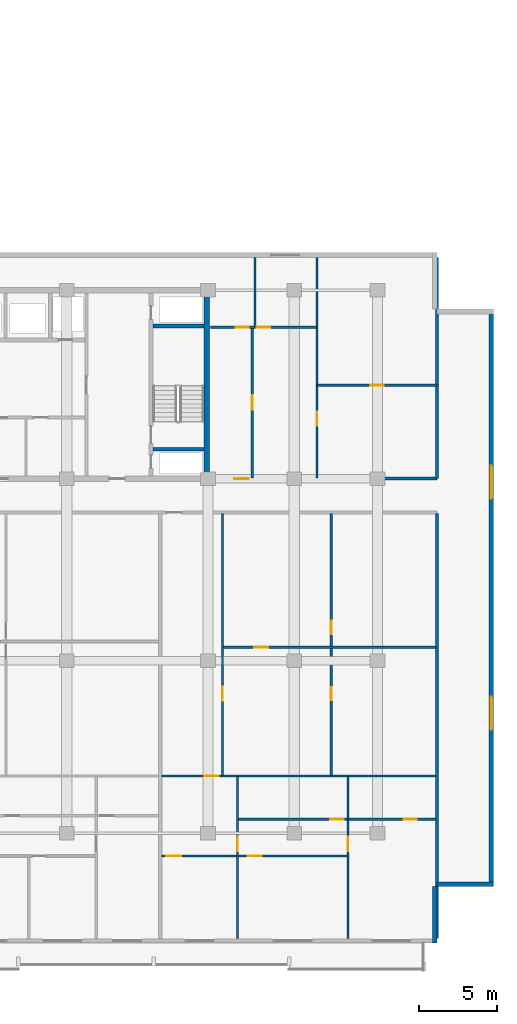
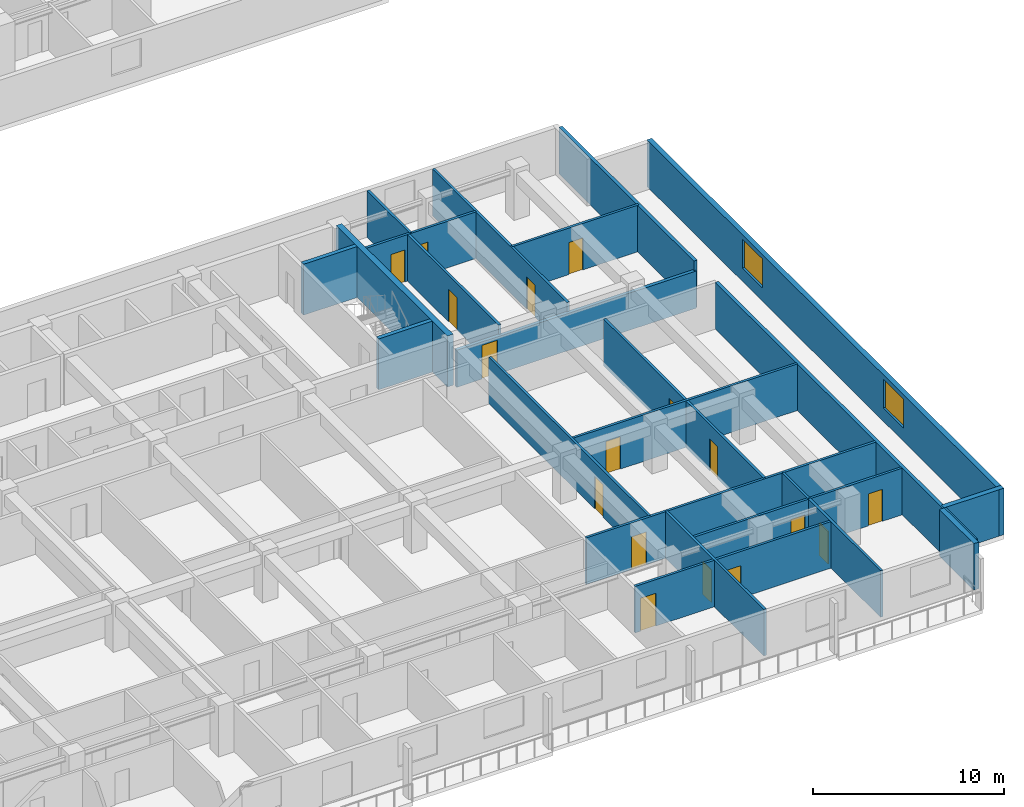
# One storey, part 8 of 23: 23 walls, 17 doors, 2 windows, 19 openings.
"""IFC4 building model written with IfcOpenShell, lengths in metres."""

from ifc_helpers import new_model, si_unit, direction, frame, frame_2d, origin, place, context, subcontext, project, spatial, rectangle, extrude, material, layer, layer_set, type_object, element, fill, save


model = new_model("IFC4")

# Units and contexts
model_context = context("Model", 3, precision=1e-05, world=origin(), true_north=direction((0.0, 1.0)))
body_context = subcontext(model_context, "Body", "Model", "MODEL_VIEW")
ifc_project = project(units=[si_unit("LENGTHUNIT", "METRE"), si_unit("AREAUNIT", "SQUARE_METRE"), si_unit("VOLUMEUNIT", "CUBIC_METRE"), si_unit("PLANEANGLEUNIT", "RADIAN"), si_unit("MASSUNIT", "GRAM", prefix="KILO")], contexts=[model_context])

# Site, building, storey
site_placement = place(None, origin())
site = spatial("IfcSite", under=ifc_project, at=site_placement, CompositionType="ELEMENT")
building_placement = place(site_placement, origin())
building = spatial("IfcBuilding", under=site, at=building_placement, Name="Korimba Cascade Residences", CompositionType="ELEMENT")
storey_placement = place(building_placement, frame((0.0, 0.0, 59.75)))
storey = spatial("IfcBuildingStorey", under=building, at=storey_placement, Name="L16", CompositionType="ELEMENT", Elevation=59.75)

# Walls
ifc_material_1 = material(Name="Precast concrete C40/50", Category="concrete")
ifc_layer_1 = layer(ifc_material_1, 0.300048828125)
ifc_layer_set_1 = layer_set([ifc_layer_1], Name="Precast concrete C40/50")
wall_type_1 = type_object("IfcWallType", Name="EW-STONE-300", PredefinedType="STANDARD", material=ifc_layer_set_1)
wall_1_placement = place(storey_placement, frame((132.550048828125, -11.199951171875, 0.0), z_axis=(0.0, 0.0, 1.0), x_axis=(0.0, 1.0, 0.0)))
element("IfcWall", 1, at=wall_1_placement, inside=storey, type_object=wall_type_1, Name="L16 T2 Perimeter Stone Wall E01", PredefinedType="STANDARD", context=body_context, shape_type="SweptSolid", body=[
    extrude(rectangle(XDim=3.599853515625, YDim=0.300048828125, at=frame_2d((1.7998046875, 0.0))), origin(), (0.0, 0.0, 1.0), 2.969970703125),
])
wall_2_placement = place(storey_placement, frame((132.699951171875, -7.449951171875, 0.0), z_axis=(0.0, 0.0, 1.0), x_axis=(1.0, 0.0, 0.0)))
element("IfcWall", 2, at=wall_2_placement, inside=storey, type_object=wall_type_1, Name="L16 T2 Perimeter Stone Wall E02", PredefinedType="STANDARD", context=body_context, shape_type="SweptSolid", body=[
    extrude(rectangle(XDim=3.60009765625, YDim=0.300048828125, at=frame_2d((1.800048828125, 0.0))), origin(), (0.0, 0.0, 1.0), 2.969970703125),
])

# Wall, openings, windows
wall_3_placement = place(storey_placement, frame((136.14990234375, -7.60009765625, 0.0), z_axis=(0.0, 0.0, 1.0), x_axis=(0.0, 1.0, 0.0)))
wall_3 = element("IfcWall", 3, at=wall_3_placement, inside=storey, type_object=wall_type_1, Name="L16 T2 Perimeter Stone Wall E03", PredefinedType="STANDARD", context=body_context, shape_type="SweptSolid", body=[
    extrude(rectangle(XDim=36.800048828125, YDim=0.300048828125, at=frame_2d((18.39990234375, 0.0))), origin(), (0.0, 0.0, 1.0), 2.969970703125),
])
opening_1_placement = place(wall_3_placement, frame((9.989990234375, 0.0, 0.85009765625)))
opening_1 = element("IfcOpeningElement", 4, at=opening_1_placement, cuts=wall_3, Name="Opening W-03", PredefinedType="OPENING", context=body_context, shape_type="SweptSolid", body=[
    extrude(rectangle(XDim=2.10009765625, YDim=1.85009765625, at=frame_2d((1.050048828125, 0.925048828125))), frame((0.0, 0.16015625, 0.0), z_axis=(0.0, -1.0, 0.0), x_axis=(1.0, 0.0, 0.0)), (0.0, 0.0, 1.0), 0.320068359375),
])
opening_2_placement = place(wall_3_placement, frame((24.7099609375, 0.0, 0.85009765625)))
opening_2 = element("IfcOpeningElement", 5, at=opening_2_placement, cuts=wall_3, Name="Opening W-03", PredefinedType="OPENING", context=body_context, shape_type="SweptSolid", body=[
    extrude(rectangle(XDim=2.10009765625, YDim=1.85009765625, at=frame_2d((1.050048828125, 0.925048828125))), frame((0.0, 0.16015625, 0.0), z_axis=(0.0, -1.0, 0.0), x_axis=(1.0, 0.0, 0.0)), (0.0, 0.0, 1.0), 0.320068359375),
])
ifc_material_2 = material(Name="Double-Glazed Aluminium Window", Category="aluminium")
window_type = type_object("IfcWindowType", Name="WIN-CRN-2100", PartitioningType="DOUBLE_PANEL_HORIZONTAL", PredefinedType="WINDOW", material=ifc_material_2)
window_1_placement = place(opening_1_placement, origin())
window_1 = element("IfcWindow", 6, at=window_1_placement, inside=storey, type_object=window_type, Name="L16 T2 End View Window 3.1", OverallHeight=1.85009765625, OverallWidth=2.10009765625, PartitioningType="DOUBLE_PANEL_HORIZONTAL", PredefinedType="WINDOW", context=body_context, shape_type="SweptSolid", body=[
    extrude(rectangle(XDim=2.10009765625, YDim=1.85009765625, at=frame_2d((1.050048828125, 0.925048828125))), frame((0.0, 0.030029296875, 0.0), z_axis=(0.0, -1.0, 0.0), x_axis=(1.0, 0.0, 0.0)), (0.0, 0.0, 1.0), 0.06005859375),
])
fill(opening_1, window_1)
window_2_placement = place(opening_2_placement, origin())
window_2 = element("IfcWindow", 7, at=window_2_placement, inside=storey, type_object=window_type, Name="L16 T2 End View Window 3.2", OverallHeight=1.85009765625, OverallWidth=2.10009765625, PartitioningType="DOUBLE_PANEL_HORIZONTAL", PredefinedType="WINDOW", context=body_context, shape_type="SweptSolid", body=[
    extrude(rectangle(XDim=2.10009765625, YDim=1.85009765625, at=frame_2d((1.050048828125, 0.925048828125))), frame((0.0, 0.030029296875, 0.0), z_axis=(0.0, -1.0, 0.0), x_axis=(1.0, 0.0, 0.0)), (0.0, 0.0, 1.0), 0.06005859375),
])
fill(opening_2, window_2)

# Walls
ifc_material_3 = material(Name="Concrete C65/80", Category="concrete")
ifc_layer_2 = layer(ifc_material_3, 0.35009765625)
ifc_layer_set_2 = layer_set([ifc_layer_2], Name="Concrete C65/80")
wall_type_2 = type_object("IfcWallType", Name="WAL-CORE-350", PredefinedType="SHEAR", material=ifc_layer_set_2)
wall_4_placement = place(storey_placement, frame((118.014892578125, 18.574951171875, 0.0), z_axis=(0.0, 0.0, 1.0), x_axis=(0.0, 1.0, 0.0)))
element("IfcWall", 8, at=wall_4_placement, inside=storey, type_object=wall_type_2, Name="L16 Core Shear Wall CW-L16-T2-E", PredefinedType="SHEAR", context=body_context, shape_type="SweptSolid", body=[
    extrude(rectangle(XDim=11.650146484375, YDim=0.35009765625, at=frame_2d((5.8251953125, 0.0))), origin(), (0.0, 0.0, 1.0), 3.25),
])
ifc_layer_3 = layer(ifc_material_1, 0.199951171875)
ifc_layer_set_3 = layer_set([ifc_layer_3], Name="Precast concrete C40/50")
wall_type_3 = type_object("IfcWallType", Name="WAL-IT-200", PredefinedType="PARTITIONING", material=ifc_layer_set_3)
wall_5_placement = place(storey_placement, frame((132.699951171875, 18.39990234375, 0.0), z_axis=(0.0, 0.0, 1.0), x_axis=(0.0, 1.0, 0.0)))
element("IfcWall", 9, at=wall_5_placement, inside=storey, type_object=wall_type_3, Name="L16 Partition Wall WAL-L16-T2-FE-WR", PredefinedType="PARTITIONING", context=body_context, shape_type="SweptSolid", body=[
    extrude(rectangle(XDim=14.10009765625, YDim=0.199951171875, at=frame_2d((7.050048828125, 0.0))), origin(), (0.0, 0.0, 1.0), 2.969970703125),
])

# Wall, opening, door
wall_6_placement = place(storey_placement, frame((118.25, 18.39990234375, 0.0), z_axis=(0.0, 0.0, 1.0), x_axis=(1.0, 0.0, 0.0)))
wall_6 = element("IfcWall", 10, at=wall_6_placement, inside=storey, type_object=wall_type_3, Name="L16 Partition Wall WAL-L16-T2-FE-S", PredefinedType="PARTITIONING", context=body_context, shape_type="SweptSolid", body=[
    extrude(rectangle(XDim=14.449951171875, YDim=0.199951171875, at=frame_2d((7.22509765625, 0.0))), origin(), (0.0, 0.0, 1.0), 2.3701171875),
])
opening_3_placement = place(wall_6_placement, frame((1.510009765625, 0.0, 0.0)))
opening_3 = element("IfcOpeningElement", 11, at=opening_3_placement, cuts=wall_6, Name="Opening D-UN1", PredefinedType="OPENING", context=body_context, shape_type="SweptSolid", body=[
    extrude(rectangle(XDim=0.949951171875, YDim=2.14990234375, at=frame_2d((0.47509765625, 1.074951171875))), frame((0.0, 0.10986328125, 0.0), z_axis=(0.0, -1.0, 0.0), x_axis=(1.0, 0.0, 0.0)), (0.0, 0.0, 1.0), 0.219970703125),
])
ifc_material_4 = material(Name="Fire-Rated Hardwood Apartment Entrance Door", Category="wood")
door_type_1 = type_object("IfcDoorType", Name="DR-FD60-950", OperationType="NOTDEFINED", PredefinedType="DOOR", material=ifc_material_4)
door_1_placement = place(opening_3_placement, origin())
door_1 = element("IfcDoor", 12, at=door_1_placement, inside=storey, type_object=door_type_1, Name="L16-T2-FE Entrance Door", OperationType="SINGLE_SWING_RIGHT", OverallHeight=2.14990234375, OverallWidth=0.949951171875, PredefinedType="DOOR", context=body_context, shape_type="SweptSolid", body=[
    extrude(rectangle(XDim=0.949951171875, YDim=2.14990234375, at=frame_2d((0.47509765625, 1.074951171875))), frame((0.0, 0.02490234375, 0.0), z_axis=(0.0, -1.0, 0.0), x_axis=(1.0, 0.0, 0.0)), (0.0, 0.0, 1.0), 0.050048828125),
])
fill(opening_3, door_1)

# Wall
wall_7_placement = place(storey_placement, frame((132.699951171875, -10.89990234375, 0.0), z_axis=(0.0, 0.0, 1.0), x_axis=(0.0, 1.0, 0.0)))
element("IfcWall", 13, at=wall_7_placement, inside=storey, type_object=wall_type_3, Name="L16 Partition Wall WAL-L16-T2-BNDWR", PredefinedType="PARTITIONING", context=body_context, shape_type="SweptSolid", body=[
    extrude(rectangle(XDim=27.06982421875, YDim=0.199951171875, at=frame_2d((13.534912109375, 0.0))), origin(), (0.0, 0.0, 1.0), 2.969970703125),
])

# Wall, opening, door
ifc_material_5 = material(Name="Insulated Acoustic Stud Partition", Category="gypsum")
ifc_layer_4 = layer(ifc_material_5, 0.14990234375)
ifc_layer_set_4 = layer_set([ifc_layer_4], Name="Insulated Acoustic Stud Partition")
wall_type_4 = type_object("IfcWallType", Name="WAL-PART-150", PredefinedType="PARTITIONING", material=ifc_layer_set_4)
wall_8_placement = place(storey_placement, frame((125.050048828125, 24.35009765625, 0.0), z_axis=(0.0, 0.0, 1.0), x_axis=(1.0, 0.0, 0.0)))
wall_8 = element("IfcWall", 14, at=wall_8_placement, inside=storey, type_object=wall_type_4, Name="L16 Partition Wall WAL-L16-T2-FE-STH", PredefinedType="PARTITIONING", context=body_context, shape_type="SweptSolid", body=[
    extrude(rectangle(XDim=7.64990234375, YDim=0.14990234375, at=frame_2d((3.824951171875, 0.0))), origin(), (0.0, 0.0, 1.0), 2.969970703125),
])
opening_4_placement = place(wall_8_placement, frame((3.405029296875, 0.0, 0.0)))
opening_4 = element("IfcOpeningElement", 15, at=opening_4_placement, cuts=wall_8, Name="Opening D-BT1", PredefinedType="OPENING", context=body_context, shape_type="SweptSolid", body=[
    extrude(rectangle(XDim=0.840087890625, YDim=2.0400390625, at=frame_2d((0.419921875, 1.02001953125))), frame((0.0, 0.0849609375, 0.0), z_axis=(0.0, -1.0, 0.0), x_axis=(1.0, 0.0, 0.0)), (0.0, 0.0, 1.0), 0.169921875),
])
ifc_material_6 = material(Name="Moisture-Resistant Bathroom Timber Door", Category="wood")
door_type_2 = type_object("IfcDoorType", Name="DR-INT-850", OperationType="NOTDEFINED", PredefinedType="DOOR", material=ifc_material_6)
door_2_placement = place(opening_4_placement, origin())
door_2 = element("IfcDoor", 16, at=door_2_placement, inside=storey, type_object=door_type_2, Name="L16-T2-FE Dressing Store Door", OperationType="SINGLE_SWING_LEFT", OverallHeight=2.0400390625, OverallWidth=0.840087890625, PredefinedType="DOOR", context=body_context, shape_type="SweptSolid", body=[
    extrude(rectangle(XDim=0.840087890625, YDim=2.0400390625, at=frame_2d((0.419921875, 1.02001953125))), frame((0.0, 0.02490234375, 0.0), z_axis=(0.0, -1.0, 0.0), x_axis=(1.0, 0.0, 0.0)), (0.0, 0.0, 1.0), 0.050048828125),
])
fill(opening_4, door_2)

wall_9_placement = place(storey_placement, frame((125.050048828125, 18.449951171875, 0.0), z_axis=(0.0, 0.0, 1.0), x_axis=(0.0, 1.0, 0.0)))
wall_9 = element("IfcWall", 17, at=wall_9_placement, inside=storey, type_object=wall_type_4, Name="L16 Partition Wall WAL-L16-T2-FE-STV", PredefinedType="PARTITIONING", context=body_context, shape_type="SweptSolid", body=[
    extrude(rectangle(XDim=14.050048828125, YDim=0.14990234375, at=frame_2d((7.02490234375, 0.0))), origin(), (0.0, 0.0, 1.0), 2.969970703125),
])
opening_5_placement = place(wall_9_placement, frame((3.320068359375, 0.0, 0.0)))
opening_5 = element("IfcOpeningElement", 18, at=opening_5_placement, cuts=wall_9, Name="Opening D-IN2", PredefinedType="OPENING", context=body_context, shape_type="SweptSolid", body=[
    extrude(rectangle(XDim=0.8798828125, YDim=2.06005859375, at=frame_2d((0.43994140625, 1.030029296875))), frame((0.0, 0.0849609375, 0.0), z_axis=(0.0, -1.0, 0.0), x_axis=(1.0, 0.0, 0.0)), (0.0, 0.0, 1.0), 0.169921875),
])
ifc_material_7 = material(Name="Acoustic Timber Bedroom Door", Category="wood")
door_type_3 = type_object("IfcDoorType", Name="DR-INT-880", OperationType="NOTDEFINED", PredefinedType="DOOR", material=ifc_material_7)
door_3_placement = place(opening_5_placement, origin())
door_3 = element("IfcDoor", 19, at=door_3_placement, inside=storey, type_object=door_type_3, Name="L16-T2-FE Study Door", OperationType="SINGLE_SWING_RIGHT", OverallHeight=2.06005859375, OverallWidth=0.8798828125, PredefinedType="DOOR", context=body_context, shape_type="SweptSolid", body=[
    extrude(rectangle(XDim=0.8798828125, YDim=2.06005859375, at=frame_2d((0.43994140625, 1.030029296875))), frame((0.0, 0.02490234375, 0.0), z_axis=(0.0, -1.0, 0.0), x_axis=(1.0, 0.0, 0.0)), (0.0, 0.0, 1.0), 0.050048828125),
])
fill(opening_5, door_3)

wall_10_placement = place(storey_placement, frame((120.929931640625, 18.449951171875, 0.0), z_axis=(0.0, 0.0, 1.0), x_axis=(0.0, 1.0, 0.0)))
wall_10 = element("IfcWall", 20, at=wall_10_placement, inside=storey, type_object=wall_type_4, Name="L16 Partition Wall WAL-L16-T2-FE-VS", PredefinedType="PARTITIONING", context=body_context, shape_type="SweptSolid", body=[
    extrude(rectangle(XDim=9.60009765625, YDim=0.14990234375, at=frame_2d((4.800048828125, 0.0))), origin(), (0.0, 0.0, 1.0), 2.969970703125),
])
opening_6_placement = place(wall_10_placement, frame((4.340087890625, 0.0, 0.0)))
opening_6 = element("IfcOpeningElement", 21, at=opening_6_placement, cuts=wall_10, Name="Opening D-IN1", PredefinedType="OPENING", context=body_context, shape_type="SweptSolid", body=[
    extrude(rectangle(XDim=0.919921875, YDim=2.080078125, at=frame_2d((0.4599609375, 1.0400390625))), frame((0.0, 0.0849609375, 0.0), z_axis=(0.0, -1.0, 0.0), x_axis=(1.0, 0.0, 0.0)), (0.0, 0.0, 1.0), 0.169921875),
])
ifc_material_8 = material(Name="Acoustic Timber Living Door", Category="wood")
door_type_4 = type_object("IfcDoorType", Name="DR-INT-920", OperationType="NOTDEFINED", PredefinedType="DOOR", material=ifc_material_8)
door_4_placement = place(opening_6_placement, origin())
door_4 = element("IfcDoor", 22, at=door_4_placement, inside=storey, type_object=door_type_4, Name="L16-T2-FE Living Door", OperationType="SINGLE_SWING_LEFT", OverallHeight=2.080078125, OverallWidth=0.919921875, PredefinedType="DOOR", context=body_context, shape_type="SweptSolid", body=[
    extrude(rectangle(XDim=0.919921875, YDim=2.080078125, at=frame_2d((0.4599609375, 1.0400390625))), frame((0.0, 0.02490234375, 0.0), z_axis=(0.0, -1.0, 0.0), x_axis=(1.0, 0.0, 0.0)), (0.0, 0.0, 1.0), 0.050048828125),
])
fill(opening_6, door_4)

# Wall
wall_11_placement = place(storey_placement, frame((121.10009765625, 28.050048828125, 0.0), z_axis=(0.0, 0.0, 1.0), x_axis=(0.0, 1.0, 0.0)))
element("IfcWall", 23, at=wall_11_placement, inside=storey, type_object=wall_type_4, Name="L16 Partition Wall WAL-L16-T2-FE-VN", PredefinedType="PARTITIONING", context=body_context, shape_type="SweptSolid", body=[
    extrude(rectangle(XDim=4.449951171875, YDim=0.14990234375, at=frame_2d((2.22509765625, 0.0))), origin(), (0.0, 0.0, 1.0), 2.969970703125),
])

# Wall, openings, doors
wall_12_placement = place(storey_placement, frame((118.27001953125, 28.050048828125, 0.0), z_axis=(0.0, 0.0, 1.0), x_axis=(1.0, 0.0, 0.0)))
wall_12 = element("IfcWall", 24, at=wall_12_placement, inside=storey, type_object=wall_type_4, Name="L16 Partition Wall WAL-L16-T2-FE-H", PredefinedType="PARTITIONING", context=body_context, shape_type="SweptSolid", body=[
    extrude(rectangle(XDim=6.760009765625, YDim=0.14990234375, at=frame_2d((3.3798828125, 0.0))), origin(), (0.0, 0.0, 1.0), 2.969970703125),
])
opening_7_placement = place(wall_12_placement, frame((1.58740234375, 0.0, 0.0)))
opening_7 = element("IfcOpeningElement", 25, at=opening_7_placement, cuts=wall_12, Name="Opening D-BT1", PredefinedType="OPENING", context=body_context, shape_type="SweptSolid", body=[
    extrude(rectangle(XDim=0.840087890625, YDim=2.0400390625, at=frame_2d((0.419921875, 1.02001953125))), frame((0.0, 0.0849609375, 0.0), z_axis=(0.0, -1.0, 0.0), x_axis=(1.0, 0.0, 0.0)), (0.0, 0.0, 1.0), 0.169921875),
])
opening_8_placement = place(wall_12_placement, frame((2.93408203125, 0.0, 0.0)))
opening_8 = element("IfcOpeningElement", 26, at=opening_8_placement, cuts=wall_12, Name="Opening D-IN2", PredefinedType="OPENING", context=body_context, shape_type="SweptSolid", body=[
    extrude(rectangle(XDim=0.8798828125, YDim=2.06005859375, at=frame_2d((0.43994140625, 1.030029296875))), frame((0.0, 0.0849609375, 0.0), z_axis=(0.0, -1.0, 0.0), x_axis=(1.0, 0.0, 0.0)), (0.0, 0.0, 1.0), 0.169921875),
])
door_5_placement = place(opening_7_placement, origin())
door_5 = element("IfcDoor", 27, at=door_5_placement, inside=storey, type_object=door_type_2, Name="L16-T2-FE Bathroom Door", OperationType="SINGLE_SWING_RIGHT", OverallHeight=2.0400390625, OverallWidth=0.840087890625, PredefinedType="DOOR", context=body_context, shape_type="SweptSolid", body=[
    extrude(rectangle(XDim=0.840087890625, YDim=2.0400390625, at=frame_2d((0.419921875, 1.02001953125))), frame((0.0, 0.02490234375, 0.0), z_axis=(0.0, -1.0, 0.0), x_axis=(1.0, 0.0, 0.0)), (0.0, 0.0, 1.0), 0.050048828125),
])
fill(opening_7, door_5)
door_6_placement = place(opening_8_placement, origin())
door_6 = element("IfcDoor", 28, at=door_6_placement, inside=storey, type_object=door_type_3, Name="L16-T2-FE Bedroom Door", OperationType="SINGLE_SWING_LEFT", OverallHeight=2.06005859375, OverallWidth=0.8798828125, PredefinedType="DOOR", context=body_context, shape_type="SweptSolid", body=[
    extrude(rectangle(XDim=0.8798828125, YDim=2.06005859375, at=frame_2d((0.43994140625, 1.030029296875))), frame((0.0, 0.02490234375, 0.0), z_axis=(0.0, -1.0, 0.0), x_axis=(1.0, 0.0, 0.0)), (0.0, 0.0, 1.0), 0.050048828125),
])
fill(opening_8, door_6)

wall_13_placement = place(storey_placement, frame((125.952880859375, -0.510009765625, 0.0), z_axis=(0.0, 0.0, 1.0), x_axis=(0.0, 1.0, 0.0)))
wall_13 = element("IfcWall", 29, at=wall_13_placement, inside=storey, type_object=wall_type_4, Name="L16 Partition Wall WAL-L16-T2-U03-FMV", PredefinedType="PARTITIONING", context=body_context, shape_type="SweptSolid", body=[
    extrude(rectangle(XDim=16.699951171875, YDim=0.14990234375, at=frame_2d((8.35009765625, 0.0))), origin(), (0.0, 0.0, 1.0), 2.969970703125),
])
opening_9_placement = place(wall_13_placement, frame((4.791748046875, 0.0, 0.0)))
opening_9 = element("IfcOpeningElement", 30, at=opening_9_placement, cuts=wall_13, Name="Opening D-BT1", PredefinedType="OPENING", context=body_context, shape_type="SweptSolid", body=[
    extrude(rectangle(XDim=0.840087890625, YDim=2.0400390625, at=frame_2d((0.419921875, 1.02001953125))), frame((0.0, 0.0849609375, 0.0), z_axis=(0.0, -1.0, 0.0), x_axis=(1.0, 0.0, 0.0)), (0.0, 0.0, 1.0), 0.169921875),
])
opening_10_placement = place(wall_13_placement, frame((8.98388671875, 0.0, 0.0)))
opening_10 = element("IfcOpeningElement", 31, at=opening_10_placement, cuts=wall_13, Name="Opening D-IN2", PredefinedType="OPENING", context=body_context, shape_type="SweptSolid", body=[
    extrude(rectangle(XDim=0.8798828125, YDim=2.06005859375, at=frame_2d((0.43994140625, 1.030029296875))), frame((0.0, 0.0849609375, 0.0), z_axis=(0.0, -1.0, 0.0), x_axis=(1.0, 0.0, 0.0)), (0.0, 0.0, 1.0), 0.169921875),
])
door_7_placement = place(opening_9_placement, origin())
door_7 = element("IfcDoor", 32, at=door_7_placement, inside=storey, type_object=door_type_2, Name="L16-T2-U03 Wardrobe Door", OperationType="SINGLE_SWING_RIGHT", OverallHeight=2.0400390625, OverallWidth=0.840087890625, PredefinedType="DOOR", context=body_context, shape_type="SweptSolid", body=[
    extrude(rectangle(XDim=0.840087890625, YDim=2.0400390625, at=frame_2d((0.419921875, 1.02001953125))), frame((0.0, 0.02490234375, 0.0), z_axis=(0.0, -1.0, 0.0), x_axis=(1.0, 0.0, 0.0)), (0.0, 0.0, 1.0), 0.050048828125),
])
fill(opening_9, door_7)
door_8_placement = place(opening_10_placement, origin())
door_8 = element("IfcDoor", 33, at=door_8_placement, inside=storey, type_object=door_type_3, Name="L16-T2-U03 Music Lounge Door", OperationType="SINGLE_SWING_LEFT", OverallHeight=2.06005859375, OverallWidth=0.8798828125, PredefinedType="DOOR", context=body_context, shape_type="SweptSolid", body=[
    extrude(rectangle(XDim=0.8798828125, YDim=2.06005859375, at=frame_2d((0.43994140625, 1.030029296875))), frame((0.0, 0.02490234375, 0.0), z_axis=(0.0, -1.0, 0.0), x_axis=(1.0, 0.0, 0.0)), (0.0, 0.0, 1.0), 0.050048828125),
])
fill(opening_10, door_8)

# Wall, opening, door
wall_14_placement = place(storey_placement, frame((119.085693359375, 7.659912109375, 0.0), z_axis=(0.0, 0.0, 1.0), x_axis=(1.0, 0.0, 0.0)))
wall_14 = element("IfcWall", 34, at=wall_14_placement, inside=storey, type_object=wall_type_4, Name="L16 Partition Wall WAL-L16-T2-U03-FMH", PredefinedType="PARTITIONING", context=body_context, shape_type="SweptSolid", body=[
    extrude(rectangle(XDim=13.534423828125, YDim=0.14990234375, at=frame_2d((6.76708984375, 0.0))), origin(), (0.0, 0.0, 1.0), 2.969970703125),
])
opening_11_placement = place(wall_14_placement, frame((1.97509765625, 0.0, 0.0)))
opening_11 = element("IfcOpeningElement", 35, at=opening_11_placement, cuts=wall_14, Name="Opening D-IN2", PredefinedType="OPENING", context=body_context, shape_type="SweptSolid", body=[
    extrude(rectangle(XDim=0.8798828125, YDim=2.06005859375, at=frame_2d((0.43994140625, 1.030029296875))), frame((0.0, 0.0849609375, 0.0), z_axis=(0.0, -1.0, 0.0), x_axis=(1.0, 0.0, 0.0)), (0.0, 0.0, 1.0), 0.169921875),
])
door_9_placement = place(opening_11_placement, origin())
door_9 = element("IfcDoor", 36, at=door_9_placement, inside=storey, type_object=door_type_3, Name="L16-T2-U03 Library Salon Door", OperationType="SINGLE_SWING_RIGHT", OverallHeight=2.06005859375, OverallWidth=0.8798828125, PredefinedType="DOOR", context=body_context, shape_type="SweptSolid", body=[
    extrude(rectangle(XDim=0.8798828125, YDim=2.06005859375, at=frame_2d((0.43994140625, 1.030029296875))), frame((0.0, 0.02490234375, 0.0), z_axis=(0.0, -1.0, 0.0), x_axis=(1.0, 0.0, 0.0)), (0.0, 0.0, 1.0), 0.050048828125),
])
fill(opening_11, door_9)

wall_15_placement = place(storey_placement, frame((119.02587890625, -0.510009765625, 0.0), z_axis=(0.0, 0.0, 1.0), x_axis=(0.0, 1.0, 0.0)))
wall_15 = element("IfcWall", 37, at=wall_15_placement, inside=storey, type_object=wall_type_4, Name="L16 Partition Wall WAL-L16-T2-U03-FV", PredefinedType="PARTITIONING", context=body_context, shape_type="SweptSolid", body=[
    extrude(rectangle(XDim=16.699951171875, YDim=0.14990234375, at=frame_2d((8.35009765625, 0.0))), origin(), (0.0, 0.0, 1.0), 2.969970703125),
])
opening_12_placement = place(wall_15_placement, frame((4.765380859375, 0.0, 0.0)))
opening_12 = element("IfcOpeningElement", 38, at=opening_12_placement, cuts=wall_15, Name="Opening D-IN2", PredefinedType="OPENING", context=body_context, shape_type="SweptSolid", body=[
    extrude(rectangle(XDim=0.8798828125, YDim=2.06005859375, at=frame_2d((0.43994140625, 1.030029296875))), frame((0.0, 0.0849609375, 0.0), z_axis=(0.0, -1.0, 0.0), x_axis=(1.0, 0.0, 0.0)), (0.0, 0.0, 1.0), 0.169921875),
])
door_10_placement = place(opening_12_placement, origin())
door_10 = element("IfcDoor", 39, at=door_10_placement, inside=storey, type_object=door_type_3, Name="L16-T2-U03 Media Lounge Door", OperationType="SINGLE_SWING_LEFT", OverallHeight=2.06005859375, OverallWidth=0.8798828125, PredefinedType="DOOR", context=body_context, shape_type="SweptSolid", body=[
    extrude(rectangle(XDim=0.8798828125, YDim=2.06005859375, at=frame_2d((0.43994140625, 1.030029296875))), frame((0.0, 0.02490234375, 0.0), z_axis=(0.0, -1.0, 0.0), x_axis=(1.0, 0.0, 0.0)), (0.0, 0.0, 1.0), 0.050048828125),
])
fill(opening_12, door_10)

wall_16_placement = place(storey_placement, frame((119.97998046875, -10.89990234375, 0.0), z_axis=(0.0, 0.0, 1.0), x_axis=(0.0, 1.0, 0.0)))
wall_16 = element("IfcWall", 40, at=wall_16_placement, inside=storey, type_object=wall_type_4, Name="L16 Partition Wall WAL-L16-T2-U03-V1", PredefinedType="PARTITIONING", context=body_context, shape_type="SweptSolid", body=[
    extrude(rectangle(XDim=10.309814453125, YDim=0.14990234375, at=frame_2d((5.15478515625, 0.0))), origin(), (0.0, 0.0, 1.0), 2.969970703125),
])
opening_13_placement = place(wall_16_placement, frame((5.570068359375, 0.0, 0.0)))
opening_13 = element("IfcOpeningElement", 41, at=opening_13_placement, cuts=wall_16, Name="Opening D-IN1", PredefinedType="OPENING", context=body_context, shape_type="SweptSolid", body=[
    extrude(rectangle(XDim=0.919921875, YDim=2.080078125, at=frame_2d((0.4599609375, 1.0400390625))), frame((0.0, 0.0849609375, 0.0), z_axis=(0.0, -1.0, 0.0), x_axis=(1.0, 0.0, 0.0)), (0.0, 0.0, 1.0), 0.169921875),
])
door_11_placement = place(opening_13_placement, origin())
door_11 = element("IfcDoor", 42, at=door_11_placement, inside=storey, type_object=door_type_4, Name="L16-T2-U03 Hallway Door", OperationType="SINGLE_SWING_RIGHT", OverallHeight=2.080078125, OverallWidth=0.919921875, PredefinedType="DOOR", context=body_context, shape_type="SweptSolid", body=[
    extrude(rectangle(XDim=0.919921875, YDim=2.080078125, at=frame_2d((0.4599609375, 1.0400390625))), frame((0.0, 0.02490234375, 0.0), z_axis=(0.0, -1.0, 0.0), x_axis=(1.0, 0.0, 0.0)), (0.0, 0.0, 1.0), 0.050048828125),
])
fill(opening_13, door_11)

# Wall
wall_17_placement = place(storey_placement, frame((127.02001953125, -3.280029296875, 0.0), z_axis=(0.0, 0.0, 1.0), x_axis=(0.0, 1.0, 0.0)))
element("IfcWall", 43, at=wall_17_placement, inside=storey, type_object=wall_type_4, Name="L16 Partition Wall WAL-L16-T2-U03-VBATH", PredefinedType="PARTITIONING", context=body_context, shape_type="SweptSolid", body=[
    extrude(rectangle(XDim=2.68994140625, YDim=0.14990234375, at=frame_2d((1.344970703125, 0.0))), origin(), (0.0, 0.0, 1.0), 2.969970703125),
])

# Wall, opening, door
wall_18_placement = place(storey_placement, frame((127.02001953125, -10.89990234375, 0.0), z_axis=(0.0, 0.0, 1.0), x_axis=(0.0, 1.0, 0.0)))
wall_18 = element("IfcWall", 44, at=wall_18_placement, inside=storey, type_object=wall_type_4, Name="L16 Partition Wall WAL-L16-T2-U03-V2FULL", PredefinedType="PARTITIONING", context=body_context, shape_type="SweptSolid", body=[
    extrude(rectangle(XDim=7.579833984375, YDim=0.14990234375, at=frame_2d((3.7900390625, 0.0))), origin(), (0.0, 0.0, 1.0), 2.969970703125),
])
opening_14_placement = place(wall_18_placement, frame((5.570068359375, 0.0, 0.0)))
opening_14 = element("IfcOpeningElement", 45, at=opening_14_placement, cuts=wall_18, Name="Opening D-IN1", PredefinedType="OPENING", context=body_context, shape_type="SweptSolid", body=[
    extrude(rectangle(XDim=0.919921875, YDim=2.080078125, at=frame_2d((0.4599609375, 1.0400390625))), frame((0.0, 0.0849609375, 0.0), z_axis=(0.0, -1.0, 0.0), x_axis=(1.0, 0.0, 0.0)), (0.0, 0.0, 1.0), 0.169921875),
])
door_12_placement = place(opening_14_placement, origin())
door_12 = element("IfcDoor", 46, at=door_12_placement, inside=storey, type_object=door_type_4, Name="L16-T2-U03 Master Bedroom Door", OperationType="SINGLE_SWING_LEFT", OverallHeight=2.080078125, OverallWidth=0.919921875, PredefinedType="DOOR", context=body_context, shape_type="SweptSolid", body=[
    extrude(rectangle(XDim=0.919921875, YDim=2.080078125, at=frame_2d((0.4599609375, 1.0400390625))), frame((0.0, 0.02490234375, 0.0), z_axis=(0.0, -1.0, 0.0), x_axis=(1.0, 0.0, 0.0)), (0.0, 0.0, 1.0), 0.050048828125),
])
fill(opening_14, door_12)

# Wall, openings, doors
wall_19_placement = place(storey_placement, frame((120.02001953125, -3.300048828125, 0.0), z_axis=(0.0, 0.0, 1.0), x_axis=(1.0, 0.0, 0.0)))
wall_19 = element("IfcWall", 47, at=wall_19_placement, inside=storey, type_object=wall_type_4, Name="L16 Partition Wall WAL-L16-T2-U03-HWALL", PredefinedType="PARTITIONING", context=body_context, shape_type="SweptSolid", body=[
    extrude(rectangle(XDim=12.60009765625, YDim=0.14990234375, at=frame_2d((6.300048828125, 0.0))), origin(), (0.0, 0.0, 1.0), 2.969970703125),
])
opening_15_placement = place(wall_19_placement, frame((5.8798828125, 0.0, 0.0)))
opening_15 = element("IfcOpeningElement", 48, at=opening_15_placement, cuts=wall_19, Name="Opening D-BT1", PredefinedType="OPENING", context=body_context, shape_type="SweptSolid", body=[
    extrude(rectangle(XDim=0.840087890625, YDim=2.0400390625, at=frame_2d((0.419921875, 1.02001953125))), frame((0.0, 0.0849609375, 0.0), z_axis=(0.0, -1.0, 0.0), x_axis=(1.0, 0.0, 0.0)), (0.0, 0.0, 1.0), 0.169921875),
])
opening_16_placement = place(wall_19_placement, frame((10.54150390625, 0.0, 0.0)))
opening_16 = element("IfcOpeningElement", 49, at=opening_16_placement, cuts=wall_19, Name="Opening D-BT1", PredefinedType="OPENING", context=body_context, shape_type="SweptSolid", body=[
    extrude(rectangle(XDim=0.840087890625, YDim=2.0400390625, at=frame_2d((0.419921875, 1.02001953125))), frame((0.0, 0.0849609375, 0.0), z_axis=(0.0, -1.0, 0.0), x_axis=(1.0, 0.0, 0.0)), (0.0, 0.0, 1.0), 0.169921875),
])
door_13_placement = place(opening_15_placement, origin())
door_13 = element("IfcDoor", 50, at=door_13_placement, inside=storey, type_object=door_type_2, Name="L16-T2-U03 Family Bathroom Door", OperationType="SINGLE_SWING_RIGHT", OverallHeight=2.0400390625, OverallWidth=0.840087890625, PredefinedType="DOOR", context=body_context, shape_type="SweptSolid", body=[
    extrude(rectangle(XDim=0.840087890625, YDim=2.0400390625, at=frame_2d((0.419921875, 1.02001953125))), frame((0.0, 0.02490234375, 0.0), z_axis=(0.0, -1.0, 0.0), x_axis=(1.0, 0.0, 0.0)), (0.0, 0.0, 1.0), 0.050048828125),
])
fill(opening_15, door_13)
door_14_placement = place(opening_16_placement, origin())
door_14 = element("IfcDoor", 51, at=door_14_placement, inside=storey, type_object=door_type_2, Name="L16-T2-U03 En-Suite Door", OperationType="SINGLE_SWING_LEFT", OverallHeight=2.0400390625, OverallWidth=0.840087890625, PredefinedType="DOOR", context=body_context, shape_type="SweptSolid", body=[
    extrude(rectangle(XDim=0.840087890625, YDim=2.0400390625, at=frame_2d((0.419921875, 1.02001953125))), frame((0.0, 0.02490234375, 0.0), z_axis=(0.0, -1.0, 0.0), x_axis=(1.0, 0.0, 0.0)), (0.0, 0.0, 1.0), 0.050048828125),
])
fill(opening_16, door_14)

# Wall, opening, door
wall_20_placement = place(storey_placement, frame((115.1357421875, -0.550048828125, 0.0), z_axis=(0.0, 0.0, 1.0), x_axis=(1.0, 0.0, 0.0)))
wall_20 = element("IfcWall", 52, at=wall_20_placement, inside=storey, type_object=wall_type_4, Name="L16 Partition Wall WAL-L16-T2-U03-MW", PredefinedType="PARTITIONING", context=body_context, shape_type="SweptSolid", body=[
    extrude(rectangle(XDim=17.484375, YDim=0.14990234375, at=frame_2d((8.7421875, 0.0))), origin(), (0.0, 0.0, 1.0), 2.969970703125),
])
opening_17_placement = place(wall_20_placement, frame((2.719970703125, 0.0, 0.0)))
opening_17 = element("IfcOpeningElement", 53, at=opening_17_placement, cuts=wall_20, Name="Opening D-IN1", PredefinedType="OPENING", context=body_context, shape_type="SweptSolid", body=[
    extrude(rectangle(XDim=0.919921875, YDim=2.080078125, at=frame_2d((0.4599609375, 1.0400390625))), frame((0.0, 0.0849609375, 0.0), z_axis=(0.0, -1.0, 0.0), x_axis=(1.0, 0.0, 0.0)), (0.0, 0.0, 1.0), 0.169921875),
])
door_15_placement = place(opening_17_placement, origin())
door_15 = element("IfcDoor", 54, at=door_15_placement, inside=storey, type_object=door_type_4, Name="L16-T2-U03 Kitchen Door", OperationType="SINGLE_SWING_RIGHT", OverallHeight=2.080078125, OverallWidth=0.919921875, PredefinedType="DOOR", context=body_context, shape_type="SweptSolid", body=[
    extrude(rectangle(XDim=0.919921875, YDim=2.080078125, at=frame_2d((0.4599609375, 1.0400390625))), frame((0.0, 0.02490234375, 0.0), z_axis=(0.0, -1.0, 0.0), x_axis=(1.0, 0.0, 0.0)), (0.0, 0.0, 1.0), 0.050048828125),
])
fill(opening_17, door_15)

# Wall, openings, doors
wall_21_placement = place(storey_placement, frame((115.1357421875, -5.64990234375, 0.0), z_axis=(0.0, 0.0, 1.0), x_axis=(1.0, 0.0, 0.0)))
wall_21 = element("IfcWall", 55, at=wall_21_placement, inside=storey, type_object=wall_type_4, Name="L16 Partition Wall WAL-L16-T2-U03-HZ", PredefinedType="PARTITIONING", context=body_context, shape_type="SweptSolid", body=[
    extrude(rectangle(XDim=11.88427734375, YDim=0.14990234375, at=frame_2d((5.942138671875, 0.0))), origin(), (0.0, 0.0, 1.0), 2.969970703125),
])
opening_18_placement = place(wall_21_placement, frame((0.318115234375, 0.0, 0.0)))
opening_18 = element("IfcOpeningElement", 56, at=opening_18_placement, cuts=wall_21, Name="Opening D-IN0", PredefinedType="OPENING", context=body_context, shape_type="SweptSolid", body=[
    extrude(rectangle(XDim=0.93994140625, YDim=2.10009765625, at=frame_2d((0.469970703125, 1.050048828125))), frame((0.0, 0.0849609375, 0.0), z_axis=(0.0, -1.0, 0.0), x_axis=(1.0, 0.0, 0.0)), (0.0, 0.0, 1.0), 0.169921875),
])
opening_19_placement = place(wall_21_placement, frame((5.502197265625, 0.0, 0.0)))
opening_19 = element("IfcOpeningElement", 57, at=opening_19_placement, cuts=wall_21, Name="Opening D-IN2", PredefinedType="OPENING", context=body_context, shape_type="SweptSolid", body=[
    extrude(rectangle(XDim=0.8798828125, YDim=2.06005859375, at=frame_2d((0.43994140625, 1.030029296875))), frame((0.0, 0.0849609375, 0.0), z_axis=(0.0, -1.0, 0.0), x_axis=(1.0, 0.0, 0.0)), (0.0, 0.0, 1.0), 0.169921875),
])
door_16_placement = place(opening_19_placement, origin())
door_16 = element("IfcDoor", 58, at=door_16_placement, inside=storey, type_object=door_type_3, Name="L16-T2-U03 Bedroom 2 Door", OperationType="SINGLE_SWING_RIGHT", OverallHeight=2.06005859375, OverallWidth=0.8798828125, PredefinedType="DOOR", context=body_context, shape_type="SweptSolid", body=[
    extrude(rectangle(XDim=0.8798828125, YDim=2.06005859375, at=frame_2d((0.43994140625, 1.030029296875))), frame((0.0, 0.02490234375, 0.0), z_axis=(0.0, -1.0, 0.0), x_axis=(1.0, 0.0, 0.0)), (0.0, 0.0, 1.0), 0.050048828125),
])
fill(opening_19, door_16)
ifc_material_9 = material(Name="Acoustic Timber Living Archway Door", Category="wood")
door_type_5 = type_object("IfcDoorType", Name="DR-INT-950", OperationType="NOTDEFINED", PredefinedType="DOOR", material=ifc_material_9)
door_17_placement = place(opening_18_placement, origin())
door_17 = element("IfcDoor", 59, at=door_17_placement, inside=storey, type_object=door_type_5, Name="L16-T2-U03 Living Room Door", OperationType="SINGLE_SWING_LEFT", OverallHeight=2.10009765625, OverallWidth=0.93994140625, PredefinedType="DOOR", context=body_context, shape_type="SweptSolid", body=[
    extrude(rectangle(XDim=0.93994140625, YDim=2.10009765625, at=frame_2d((0.469970703125, 1.050048828125))), frame((0.0, 0.02490234375, 0.0), z_axis=(0.0, -1.0, 0.0), x_axis=(1.0, 0.0, 0.0)), (0.0, 0.0, 1.0), 0.050048828125),
])
fill(opening_18, door_17)

# Walls
ifc_material_10 = material(Name="Concrete C50/60", Category="concrete")
ifc_layer_5 = layer(ifc_material_10, 0.25)
ifc_layer_set_5 = layer_set([ifc_layer_5], Name="Concrete C50/60")
wall_type_5 = type_object("IfcWallType", Name="WAL-SHAFT-250", PredefinedType="SHEAR", material=ifc_layer_set_5)
for number, where, z_axis, x_axis, name in (
    (60, (114.60009765625, 20.27490234375, 0.0), (0.0, 0.0, 1.0), (1.0, 0.0, 0.0), "L16 Core Shear Wall CW-L16-T2-STE2S"),
    (61, (114.60009765625, 28.125, 0.0), (0.0, 0.0, 1.0), (1.0, 0.0, 0.0), "L16 Core Shear Wall CW-L16-T2-STE2N"),
):
    element("IfcWall", number, at=place(storey_placement, frame(where, z_axis=z_axis, x_axis=x_axis)), inside=storey, type_object=wall_type_5, Name=name, PredefinedType="SHEAR", context=body_context, shape_type="SweptSolid", body=[
        extrude(rectangle(XDim=3.239990234375, YDim=0.25, at=frame_2d((1.6201171875, 0.0))), origin(), (0.0, 0.0, 1.0), 3.25),
    ])

save(model, "model.ifc")
